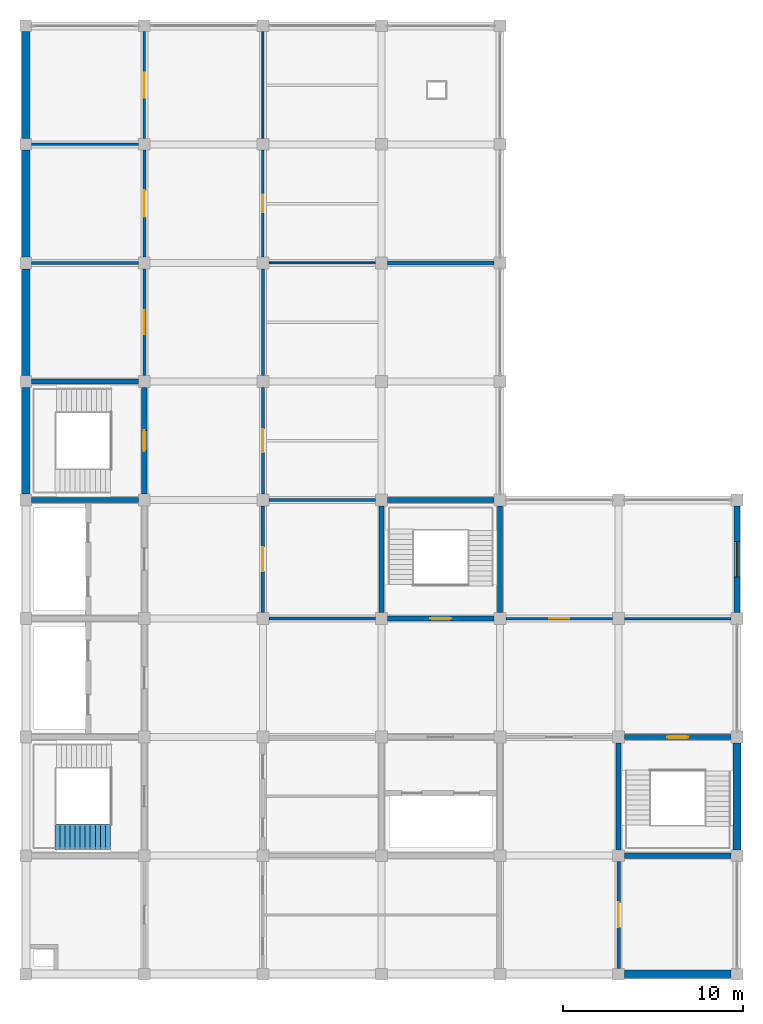
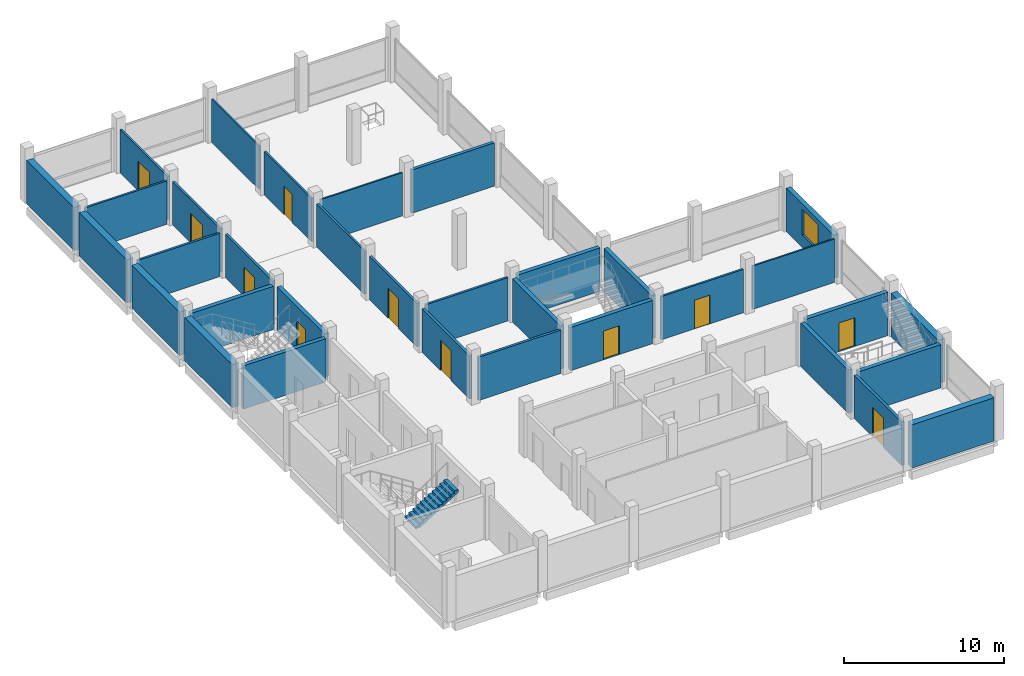
# One storey, part 7 of 9: 34 walls, 11 doors, 1 stair flight, 1 window, 12 openings, 1 element without a shape of its own.
"""IFC4 building model written with IfcOpenShell, lengths in metres."""

from ifc_helpers import new_model, si_unit, direction, frame, frame_2d, origin, place, context, subcontext, project, spatial, polyline, rectangle, outline, extrude, material, layer, layer_set, type_object, element, fill, aggregate, save


model = new_model("IFC4")

# Units and contexts
model_context = context("Model", 3, precision=1e-05, world=origin(), true_north=direction((0.0, 1.0)))
body_context = subcontext(model_context, "Body", "Model", "MODEL_VIEW")
ifc_project = project(units=[si_unit("LENGTHUNIT", "METRE"), si_unit("AREAUNIT", "SQUARE_METRE"), si_unit("VOLUMEUNIT", "CUBIC_METRE"), si_unit("PLANEANGLEUNIT", "RADIAN"), si_unit("MASSUNIT", "GRAM", prefix="KILO")], contexts=[model_context])

# Site, building, storey
site_placement = place(None, origin())
site = spatial("IfcSite", under=ifc_project, at=site_placement, CompositionType="ELEMENT")
building_placement = place(site_placement, origin())
building = spatial("IfcBuilding", under=site, at=building_placement, Name="Rusizi Kubbe Research Institute", CompositionType="ELEMENT")
storey_placement = place(building_placement, frame((0.0, 0.0, 60.60009765625)))
storey = spatial("IfcBuildingStorey", under=building, at=storey_placement, Name="L14", CompositionType="ELEMENT", Elevation=60.60009765625)

# Walls
ifc_material_1 = material(Name="Concrete C40/50", Category="concrete")
ifc_layer_1 = layer(ifc_material_1, 0.294921875)
ifc_layer_set_1 = layer_set([ifc_layer_1], Name="Concrete C40/50")
wall_type_1 = type_object("IfcWallType", Name="CRW-03", PredefinedType="SHEAR", material=ifc_layer_set_1)
for number, where, z_axis, x_axis, name in (
    (1, (0.324951171875, 26.39990234375, 0.0), (0.0, 0.0, 1.0), (1.0, 0.0, 0.0), "Stair Core Shear Wall ST2 L14 S"),
    (2, (0.324951171875, 33.0, 0.0), (0.0, 0.0, 1.0), (1.0, 0.0, 0.0), "Stair Core Shear Wall ST2 L14 N"),
):
    element("IfcWall", number, at=place(storey_placement, frame(where, z_axis=z_axis, x_axis=x_axis)), inside=storey, type_object=wall_type_1, Name=name, PredefinedType="SHEAR", context=body_context, shape_type="SweptSolid", body=[
        extrude(rectangle(XDim=5.949951171875, YDim=0.294921875, at=frame_2d((2.97509765625, 0.0))), origin(), (0.0, 0.0, 1.0), 3.309814453125),
    ])

# Wall, opening, door
wall_1_placement = place(storey_placement, frame((6.60009765625, 26.72509765625, 0.0), z_axis=(0.0, 0.0, 1.0), x_axis=(0.0, 1.0, 0.0)))
wall_1 = element("IfcWall", 3, at=wall_1_placement, inside=storey, type_object=wall_type_1, Name="Stair Core Shear Wall ST2 L14 E", PredefinedType="SHEAR", context=body_context, shape_type="SweptSolid", body=[
    extrude(rectangle(XDim=5.949951171875, YDim=0.294921875, at=frame_2d((2.97509765625, 0.0))), origin(), (0.0, 0.0, 1.0), 3.309814453125),
])
opening_1_placement = place(wall_1_placement, frame((2.39990234375, 0.0, 0.0)))
opening_1 = element("IfcOpeningElement", 4, at=opening_1_placement, cuts=wall_1, Name="Opening D-02", PredefinedType="OPENING", context=body_context, shape_type="SweptSolid", body=[
    extrude(rectangle(XDim=1.14990234375, YDim=2.199951171875, at=frame_2d((0.574951171875, 1.10009765625))), frame((0.0, 0.157470703125, 0.0), z_axis=(0.0, -1.0, 0.0), x_axis=(1.0, 0.0, 0.0)), (0.0, 0.0, 1.0), 0.31494140625),
])
ifc_material_2 = material(Name="Fire-Rated Steel Frame and Acoustic Timber Leaf", Category="wood")
door_type_1 = type_object("IfcDoorType", Name="ID-STAIR-115", OperationType="NOTDEFINED", PredefinedType="DOOR", material=ifc_material_2)
door_1_placement = place(opening_1_placement, origin())
door_1 = element("IfcDoor", 5, at=door_1_placement, inside=storey, type_object=door_type_1, Name="Exit Stair Door ST2 L14", OperationType="SINGLE_SWING_RIGHT", OverallHeight=2.199951171875, OverallWidth=1.14990234375, PredefinedType="DOOR", context=body_context, shape_type="SweptSolid", body=[
    extrude(rectangle(XDim=1.14990234375, YDim=2.199951171875, at=frame_2d((0.574951171875, 1.10009765625))), frame((0.0, 0.02490234375, 0.0), z_axis=(0.0, -1.0, 0.0), x_axis=(1.0, 0.0, 0.0)), (0.0, 0.0, 1.0), 0.050048828125),
])
fill(opening_1, door_1)

wall_2_placement = place(storey_placement, frame((20.125, 19.800048828125, 0.0), z_axis=(0.0, 0.0, 1.0), x_axis=(1.0, 0.0, 0.0)))
wall_2 = element("IfcWall", 6, at=wall_2_placement, inside=storey, type_object=wall_type_1, Name="Stair Core Shear Wall ST3 L14 S", PredefinedType="SHEAR", context=body_context, shape_type="SweptSolid", body=[
    extrude(rectangle(XDim=5.949951171875, YDim=0.294921875, at=frame_2d((2.97509765625, 0.0))), origin(), (0.0, 0.0, 1.0), 3.309814453125),
])
opening_2_placement = place(wall_2_placement, frame((2.39990234375, 0.0, 0.0)))
opening_2 = element("IfcOpeningElement", 7, at=opening_2_placement, cuts=wall_2, Name="Opening D-02", PredefinedType="OPENING", context=body_context, shape_type="SweptSolid", body=[
    extrude(rectangle(XDim=1.14990234375, YDim=2.199951171875, at=frame_2d((0.574951171875, 1.10009765625))), frame((0.0, 0.157470703125, 0.0), z_axis=(0.0, -1.0, 0.0), x_axis=(1.0, 0.0, 0.0)), (0.0, 0.0, 1.0), 0.31494140625),
])
door_2_placement = place(opening_2_placement, origin())
door_2 = element("IfcDoor", 8, at=door_2_placement, inside=storey, type_object=door_type_1, Name="Exit Stair Door ST3 L14", OperationType="SINGLE_SWING_RIGHT", OverallHeight=2.199951171875, OverallWidth=1.14990234375, PredefinedType="DOOR", context=body_context, shape_type="SweptSolid", body=[
    extrude(rectangle(XDim=1.14990234375, YDim=2.199951171875, at=frame_2d((0.574951171875, 1.10009765625))), frame((0.0, 0.02490234375, 0.0), z_axis=(0.0, -1.0, 0.0), x_axis=(1.0, 0.0, 0.0)), (0.0, 0.0, 1.0), 0.050048828125),
])
fill(opening_2, door_2)

# Walls
for number, where, z_axis, x_axis, name in (
    (9, (20.125, 26.39990234375, 0.0), (0.0, 0.0, 1.0), (1.0, 0.0, 0.0), "Stair Core Shear Wall ST3 L14 N"),
    (10, (19.800048828125, 20.125, 0.0), (0.0, 0.0, 1.0), (0.0, 1.0, 0.0), "Stair Core Shear Wall ST3 L14 W"),
    (11, (26.39990234375, 20.125, 0.0), (0.0, 0.0, 1.0), (0.0, 1.0, 0.0), "Stair Core Shear Wall ST3 L14 E"),
    (12, (33.324951171875, 6.60009765625, 0.0), (0.0, 0.0, 1.0), (1.0, 0.0, 0.0), "Stair Core Shear Wall ST4 L14 S"),
):
    element("IfcWall", number, at=place(storey_placement, frame(where, z_axis=z_axis, x_axis=x_axis)), inside=storey, type_object=wall_type_1, Name=name, PredefinedType="SHEAR", context=body_context, shape_type="SweptSolid", body=[
        extrude(rectangle(XDim=5.949951171875, YDim=0.294921875, at=frame_2d((2.97509765625, 0.0))), origin(), (0.0, 0.0, 1.0), 3.309814453125),
    ])

# Wall, opening, door
wall_3_placement = place(storey_placement, frame((33.324951171875, 13.199951171875, 0.0), z_axis=(0.0, 0.0, 1.0), x_axis=(1.0, 0.0, 0.0)))
wall_3 = element("IfcWall", 13, at=wall_3_placement, inside=storey, type_object=wall_type_1, Name="Stair Core Shear Wall ST4 L14 N", PredefinedType="SHEAR", context=body_context, shape_type="SweptSolid", body=[
    extrude(rectangle(XDim=5.949951171875, YDim=0.294921875, at=frame_2d((2.97509765625, 0.0))), origin(), (0.0, 0.0, 1.0), 3.309814453125),
])
opening_3_placement = place(wall_3_placement, frame((2.39990234375, 0.0, 0.0)))
opening_3 = element("IfcOpeningElement", 14, at=opening_3_placement, cuts=wall_3, Name="Opening D-02", PredefinedType="OPENING", context=body_context, shape_type="SweptSolid", body=[
    extrude(rectangle(XDim=1.14990234375, YDim=2.199951171875, at=frame_2d((0.574951171875, 1.10009765625))), frame((0.0, 0.157470703125, 0.0), z_axis=(0.0, -1.0, 0.0), x_axis=(1.0, 0.0, 0.0)), (0.0, 0.0, 1.0), 0.31494140625),
])
door_3_placement = place(opening_3_placement, origin())
door_3 = element("IfcDoor", 15, at=door_3_placement, inside=storey, type_object=door_type_1, Name="Exit Stair Door ST4 L14", OperationType="SINGLE_SWING_RIGHT", OverallHeight=2.199951171875, OverallWidth=1.14990234375, PredefinedType="DOOR", context=body_context, shape_type="SweptSolid", body=[
    extrude(rectangle(XDim=1.14990234375, YDim=2.199951171875, at=frame_2d((0.574951171875, 1.10009765625))), frame((0.0, 0.02490234375, 0.0), z_axis=(0.0, -1.0, 0.0), x_axis=(1.0, 0.0, 0.0)), (0.0, 0.0, 1.0), 0.050048828125),
])
fill(opening_3, door_3)

# Wall
wall_4_placement = place(storey_placement, frame((33.0, 6.925048828125, 0.0), z_axis=(0.0, 0.0, 1.0), x_axis=(0.0, 1.0, 0.0)))
element("IfcWall", 16, at=wall_4_placement, inside=storey, type_object=wall_type_1, Name="Stair Core Shear Wall ST4 L14 W", PredefinedType="SHEAR", context=body_context, shape_type="SweptSolid", body=[
    extrude(rectangle(XDim=5.949951171875, YDim=0.294921875, at=frame_2d((2.97509765625, 0.0))), origin(), (0.0, 0.0, 1.0), 3.309814453125),
])

# Wall, opening, window
ifc_material_3 = material(Name="Volcanic Basalt Ashlar Masonry", Category="masonry")
ifc_layer_2 = layer(ifc_material_3, 0.340087890625)
ifc_layer_set_2 = layer_set([ifc_layer_2], Name="Volcanic Basalt Ashlar Masonry")
wall_type_2 = type_object("IfcWallType", Name="EW-07", PredefinedType="SOLIDWALL", material=ifc_layer_set_2)
wall_5_placement = place(storey_placement, frame((39.60009765625, 20.125, 0.0), z_axis=(0.0, 0.0, 1.0), x_axis=(0.0, 1.0, 0.0)))
wall_5 = element("IfcWall", 17, at=wall_5_placement, inside=storey, type_object=wall_type_2, Name="Ablaq Stone Exterior Wall L14 V6-3", PredefinedType="SOLIDWALL", context=body_context, shape_type="SweptSolid", body=[
    extrude(rectangle(XDim=5.949951171875, YDim=0.340087890625, at=frame_2d((2.97509765625, 0.0))), origin(), (0.0, 0.0, 1.0), 3.309814453125),
])
opening_4_placement = place(wall_5_placement, frame((1.9951171875, 0.0, 0.949951171875)))
opening_4 = element("IfcOpeningElement", 18, at=opening_4_placement, cuts=wall_5, Name="Opening WN-28", PredefinedType="OPENING", context=body_context, shape_type="SweptSolid", body=[
    extrude(rectangle(XDim=1.9599609375, YDim=1.9599609375, at=frame_2d((0.97998046875, 0.97998046875))), frame((0.0, 0.179931640625, 0.0), z_axis=(0.0, -1.0, 0.0), x_axis=(1.0, 0.0, 0.0)), (0.0, 0.0, 1.0), 0.360107421875),
])
ifc_material_4 = material(Name="Aluminium Frame and Solar-Control Double Glazing", Category="glass")
window_type = type_object("IfcWindowType", Name="WN-28", PartitioningType="DOUBLE_PANEL_VERTICAL", PredefinedType="WINDOW", material=ifc_material_4)
window_placement = place(opening_4_placement, origin())
window = element("IfcWindow", 19, at=window_placement, inside=storey, type_object=window_type, Name="Casement Window WN-28 L14", OverallHeight=1.9599609375, OverallWidth=1.9599609375, PartitioningType="DOUBLE_PANEL_VERTICAL", PredefinedType="WINDOW", context=body_context, shape_type="SweptSolid", body=[
    extrude(rectangle(XDim=1.9599609375, YDim=1.9599609375, at=frame_2d((0.97998046875, 0.97998046875))), frame((0.0, 0.030029296875, 0.0), z_axis=(0.0, -1.0, 0.0), x_axis=(1.0, 0.0, 0.0)), (0.0, 0.0, 1.0), 0.06005859375),
])
fill(opening_4, window)

# Wall
ifc_material_5 = material(Name="Concrete Blockwork Fire Partition", Category="masonry")
ifc_layer_3 = layer(ifc_material_5, 0.22509765625)
ifc_layer_set_3 = layer_set([ifc_layer_3], Name="Concrete Blockwork Fire Partition")
wall_type_3 = type_object("IfcWallType", Name="IW-01", PredefinedType="PARTITIONING", material=ifc_layer_set_3)
wall_6_placement = place(storey_placement, frame((20.125, 39.60009765625, 0.0), z_axis=(0.0, 0.0, 1.0), x_axis=(1.0, 0.0, 0.0)))
element("IfcWall", 20, at=wall_6_placement, inside=storey, type_object=wall_type_3, Name="Interior Partition Wall L14 H3-6", PredefinedType="PARTITIONING", context=body_context, shape_type="SweptSolid", body=[
    extrude(rectangle(XDim=5.949951171875, YDim=0.22509765625, at=frame_2d((2.97509765625, 0.0))), origin(), (0.0, 0.0, 1.0), 3.309814453125),
])

# Wall, opening, door
ifc_material_6 = material(Name="Insulated Cleanroom Partition", Category="masonry")
ifc_layer_4 = layer(ifc_material_6, 0.195068359375)
ifc_layer_set_4 = layer_set([ifc_layer_4], Name="Insulated Cleanroom Partition")
wall_type_4 = type_object("IfcWallType", Name="IW-02", PredefinedType="PARTITIONING", material=ifc_layer_set_4)
wall_7_placement = place(storey_placement, frame((13.199951171875, 20.125, 0.0), z_axis=(0.0, 0.0, 1.0), x_axis=(0.0, 1.0, 0.0)))
wall_7 = element("IfcWall", 21, at=wall_7_placement, inside=storey, type_object=wall_type_4, Name="Interior Partition Wall L14 V2-3", PredefinedType="PARTITIONING", context=body_context, shape_type="SweptSolid", body=[
    extrude(rectangle(XDim=5.949951171875, YDim=0.195068359375, at=frame_2d((2.97509765625, 0.0))), origin(), (0.0, 0.0, 1.0), 3.309814453125),
])
opening_5_placement = place(wall_7_placement, frame((2.300048828125, 0.0, 0.0)))
opening_5 = element("IfcOpeningElement", 22, at=opening_5_placement, cuts=wall_7, Name="Opening D-13", PredefinedType="OPENING", context=body_context, shape_type="SweptSolid", body=[
    extrude(rectangle(XDim=1.35009765625, YDim=2.300048828125, at=frame_2d((0.675048828125, 1.14990234375))), frame((0.0, 0.107421875, 0.0), z_axis=(0.0, -1.0, 0.0), x_axis=(1.0, 0.0, 0.0)), (0.0, 0.0, 1.0), 0.215087890625),
])
ifc_material_7 = material(Name="Fire-Rated Steel Frame and Acoustic Timber Leaf", Category="wood")
door_type_2 = type_object("IfcDoorType", Name="ID-LAB-135", OperationType="NOTDEFINED", PredefinedType="DOOR", material=ifc_material_7)
door_4_placement = place(opening_5_placement, origin())
door_4 = element("IfcDoor", 23, at=door_4_placement, inside=storey, type_object=door_type_2, Name="Door to Bioscience Wet Laboratory (L14-NW-01)", OperationType="SINGLE_SWING_LEFT", OverallHeight=2.300048828125, OverallWidth=1.35009765625, PredefinedType="DOOR", context=body_context, shape_type="SweptSolid", body=[
    extrude(rectangle(XDim=1.35009765625, YDim=2.300048828125, at=frame_2d((0.675048828125, 1.14990234375))), frame((0.0, 0.02490234375, 0.0), z_axis=(0.0, -1.0, 0.0), x_axis=(1.0, 0.0, 0.0)), (0.0, 0.0, 1.0), 0.050048828125),
])
fill(opening_5, door_4)

wall_8_placement = place(storey_placement, frame((33.0, 0.324951171875, 0.0), z_axis=(0.0, 0.0, 1.0), x_axis=(0.0, 1.0, 0.0)))
wall_8 = element("IfcWall", 24, at=wall_8_placement, inside=storey, type_object=wall_type_4, Name="Interior Partition Wall L14 V5-0", PredefinedType="PARTITIONING", context=body_context, shape_type="SweptSolid", body=[
    extrude(rectangle(XDim=5.949951171875, YDim=0.195068359375, at=frame_2d((2.97509765625, 0.0))), origin(), (0.0, 0.0, 1.0), 3.309814453125),
])
opening_6_placement = place(wall_8_placement, frame((2.27490234375, 0.0, 0.0)))
opening_6 = element("IfcOpeningElement", 25, at=opening_6_placement, cuts=wall_8, Name="Opening D-12", PredefinedType="OPENING", context=body_context, shape_type="SweptSolid", body=[
    extrude(rectangle(XDim=1.39990234375, YDim=2.25, at=frame_2d((0.699951171875, 1.125))), frame((0.0, 0.107421875, 0.0), z_axis=(0.0, -1.0, 0.0), x_axis=(1.0, 0.0, 0.0)), (0.0, 0.0, 1.0), 0.215087890625),
])
ifc_material_8 = material(Name="Fire-Rated Steel Frame and Acoustic Timber Leaf", Category="wood")
door_type_3 = type_object("IfcDoorType", Name="ID-LAB-140", OperationType="NOTDEFINED", PredefinedType="DOOR", material=ifc_material_8)
door_5_placement = place(opening_6_placement, origin())
door_5 = element("IfcDoor", 26, at=door_5_placement, inside=storey, type_object=door_type_3, Name="Door to Laboratory Instrument Support Room (L14-EWU-05)", OperationType="SINGLE_SWING_RIGHT", OverallHeight=2.25, OverallWidth=1.39990234375, PredefinedType="DOOR", context=body_context, shape_type="SweptSolid", body=[
    extrude(rectangle(XDim=1.39990234375, YDim=2.25, at=frame_2d((0.699951171875, 1.125))), frame((0.0, 0.02490234375, 0.0), z_axis=(0.0, -1.0, 0.0), x_axis=(1.0, 0.0, 0.0)), (0.0, 0.0, 1.0), 0.050048828125),
])
fill(opening_6, door_5)

ifc_material_9 = material(Name="Acoustic Laboratory Partition", Category="masonry")
ifc_layer_5 = layer(ifc_material_9, 0.175048828125)
ifc_layer_set_5 = layer_set([ifc_layer_5], Name="Acoustic Laboratory Partition")
wall_type_5 = type_object("IfcWallType", Name="IW-03", PredefinedType="PARTITIONING", material=ifc_layer_set_5)
wall_9_placement = place(storey_placement, frame((6.60009765625, 33.324951171875, 0.0), z_axis=(0.0, 0.0, 1.0), x_axis=(0.0, 1.0, 0.0)))
wall_9 = element("IfcWall", 27, at=wall_9_placement, inside=storey, type_object=wall_type_5, Name="Interior Partition Wall L14 V1-5", PredefinedType="PARTITIONING", context=body_context, shape_type="SweptSolid", body=[
    extrude(rectangle(XDim=5.949951171875, YDim=0.175048828125, at=frame_2d((2.97509765625, 0.0))), origin(), (0.0, 0.0, 1.0), 3.309814453125),
])
opening_7_placement = place(wall_9_placement, frame((2.31494140625, 0.0, 0.0)))
opening_7 = element("IfcOpeningElement", 28, at=opening_7_placement, cuts=wall_9, Name="Opening LD-07", PredefinedType="OPENING", context=body_context, shape_type="SweptSolid", body=[
    extrude(rectangle(XDim=1.320068359375, YDim=2.199951171875, at=frame_2d((0.66015625, 1.10009765625))), frame((0.0, 0.097412109375, 0.0), z_axis=(0.0, -1.0, 0.0), x_axis=(1.0, 0.0, 0.0)), (0.0, 0.0, 1.0), 0.195068359375),
])
ifc_material_10 = material(Name="Brushed Stainless Steel Sliding Door", Category="steel")
door_type_4 = type_object("IfcDoorType", Name="LD-07", OperationType="DOUBLE_DOOR_SLIDING", PredefinedType="USERDEFINED", material=ifc_material_10)
door_6_placement = place(opening_7_placement, origin())
door_6 = element("IfcDoor", 29, at=door_6_placement, inside=storey, type_object=door_type_4, Name="Door to Clean Room Gowning Airlock (L14-ALK-05)", ObjectType="SLIDING DOOR", OperationType="DOUBLE_DOOR_SLIDING", OverallHeight=2.199951171875, OverallWidth=1.320068359375, PredefinedType="USERDEFINED", context=body_context, shape_type="SweptSolid", body=[
    extrude(rectangle(XDim=1.320068359375, YDim=2.199951171875, at=frame_2d((0.66015625, 1.10009765625))), frame((0.0, 0.02490234375, 0.0), z_axis=(0.0, -1.0, 0.0), x_axis=(1.0, 0.0, 0.0)), (0.0, 0.0, 1.0), 0.050048828125),
])
fill(opening_7, door_6)

wall_10_placement = place(storey_placement, frame((13.199951171875, 26.72509765625, 0.0), z_axis=(0.0, 0.0, 1.0), x_axis=(0.0, 1.0, 0.0)))
wall_10 = element("IfcWall", 30, at=wall_10_placement, inside=storey, type_object=wall_type_5, Name="Interior Partition Wall L14 V2-4", PredefinedType="PARTITIONING", context=body_context, shape_type="SweptSolid", body=[
    extrude(rectangle(XDim=5.949951171875, YDim=0.175048828125, at=frame_2d((2.97509765625, 0.0))), origin(), (0.0, 0.0, 1.0), 3.309814453125),
])
opening_8_placement = place(wall_10_placement, frame((2.324951171875, 0.0, 0.0)))
opening_8 = element("IfcOpeningElement", 31, at=opening_8_placement, cuts=wall_10, Name="Opening D-14", PredefinedType="OPENING", context=body_context, shape_type="SweptSolid", body=[
    extrude(rectangle(XDim=1.300048828125, YDim=2.300048828125, at=frame_2d((0.64990234375, 1.14990234375))), frame((0.0, 0.097412109375, 0.0), z_axis=(0.0, -1.0, 0.0), x_axis=(1.0, 0.0, 0.0)), (0.0, 0.0, 1.0), 0.195068359375),
])
ifc_material_11 = material(Name="Fire-Rated Steel Frame and Acoustic Timber Leaf", Category="wood")
door_type_5 = type_object("IfcDoorType", Name="ID-LAB-130", OperationType="NOTDEFINED", PredefinedType="DOOR", material=ifc_material_11)
door_7_placement = place(opening_8_placement, origin())
door_7 = element("IfcDoor", 32, at=door_7_placement, inside=storey, type_object=door_type_5, Name="Door to Computational Dry Laboratory (L14-NW-02)", OperationType="SINGLE_SWING_RIGHT", OverallHeight=2.300048828125, OverallWidth=1.300048828125, PredefinedType="DOOR", context=body_context, shape_type="SweptSolid", body=[
    extrude(rectangle(XDim=1.300048828125, YDim=2.300048828125, at=frame_2d((0.64990234375, 1.14990234375))), frame((0.0, 0.02490234375, 0.0), z_axis=(0.0, -1.0, 0.0), x_axis=(1.0, 0.0, 0.0)), (0.0, 0.0, 1.0), 0.050048828125),
])
fill(opening_8, door_7)

# Walls
wall_11_placement = place(storey_placement, frame((13.52490234375, 19.800048828125, 0.0), z_axis=(0.0, 0.0, 1.0), x_axis=(1.0, 0.0, 0.0)))
element("IfcWall", 33, at=wall_11_placement, inside=storey, type_object=wall_type_5, Name="Interior Partition Wall L14 H2-3", PredefinedType="PARTITIONING", context=body_context, shape_type="SweptSolid", body=[
    extrude(rectangle(XDim=5.9501953125, YDim=0.175048828125, at=frame_2d((2.97509765625, 0.0))), origin(), (0.0, 0.0, 1.0), 3.309814453125),
])
ifc_material_12 = material(Name="Fire-Rated Corridor Partition", Category="masonry")
ifc_layer_6 = layer(ifc_material_12, 0.155029296875)
ifc_layer_set_6 = layer_set([ifc_layer_6], Name="Fire-Rated Corridor Partition")
wall_type_6 = type_object("IfcWallType", Name="IW-04", PredefinedType="PARTITIONING", material=ifc_layer_set_6)
wall_12_placement = place(storey_placement, frame((0.324951171875, 39.60009765625, 0.0), z_axis=(0.0, 0.0, 1.0), x_axis=(1.0, 0.0, 0.0)))
element("IfcWall", 34, at=wall_12_placement, inside=storey, type_object=wall_type_6, Name="Interior Partition Wall L14 H0-6", PredefinedType="PARTITIONING", context=body_context, shape_type="SweptSolid", body=[
    extrude(rectangle(XDim=5.949951171875, YDim=0.155029296875, at=frame_2d((2.97509765625, 0.0))), origin(), (0.0, 0.0, 1.0), 3.309814453125),
])

# Wall, opening, door
wall_13_placement = place(storey_placement, frame((6.60009765625, 39.925048828125, 0.0), z_axis=(0.0, 0.0, 1.0), x_axis=(0.0, 1.0, 0.0)))
wall_13 = element("IfcWall", 35, at=wall_13_placement, inside=storey, type_object=wall_type_6, Name="Interior Partition Wall L14 V1-6", PredefinedType="PARTITIONING", context=body_context, shape_type="SweptSolid", body=[
    extrude(rectangle(XDim=5.949951171875, YDim=0.155029296875, at=frame_2d((2.97509765625, 0.0))), origin(), (0.0, 0.0, 1.0), 3.309814453125),
])
opening_9_placement = place(wall_13_placement, frame((2.235107421875, 0.0, 0.0)))
opening_9 = element("IfcOpeningElement", 36, at=opening_9_placement, cuts=wall_13, Name="Opening LD-08", PredefinedType="OPENING", context=body_context, shape_type="SweptSolid", body=[
    extrude(rectangle(XDim=1.47998046875, YDim=2.25, at=frame_2d((0.739990234375, 1.125))), frame((0.0, 0.08740234375, 0.0), z_axis=(0.0, -1.0, 0.0), x_axis=(1.0, 0.0, 0.0)), (0.0, 0.0, 1.0), 0.175048828125),
])
ifc_material_13 = material(Name="Brushed Stainless Steel Sliding Door", Category="steel")
door_type_6 = type_object("IfcDoorType", Name="LD-08", OperationType="DOUBLE_DOOR_SLIDING", PredefinedType="USERDEFINED", material=ifc_material_13)
door_8_placement = place(opening_9_placement, origin())
door_8 = element("IfcDoor", 37, at=door_8_placement, inside=storey, type_object=door_type_6, Name="Door to ISO-6 Clean Room Suite (L14-CR-06)", ObjectType="SLIDING DOOR", OperationType="DOUBLE_DOOR_SLIDING", OverallHeight=2.25, OverallWidth=1.47998046875, PredefinedType="USERDEFINED", context=body_context, shape_type="SweptSolid", body=[
    extrude(rectangle(XDim=1.47998046875, YDim=2.25, at=frame_2d((0.739990234375, 1.125))), frame((0.0, 0.02490234375, 0.0), z_axis=(0.0, -1.0, 0.0), x_axis=(1.0, 0.0, 0.0)), (0.0, 0.0, 1.0), 0.050048828125),
])
fill(opening_9, door_8)

# Walls
wall_14_placement = place(storey_placement, frame((13.199951171875, 33.324951171875, 0.0), z_axis=(0.0, 0.0, 1.0), x_axis=(0.0, 1.0, 0.0)))
element("IfcWall", 38, at=wall_14_placement, inside=storey, type_object=wall_type_6, Name="Interior Partition Wall L14 V2-5", PredefinedType="PARTITIONING", context=body_context, shape_type="SweptSolid", body=[
    extrude(rectangle(XDim=5.949951171875, YDim=0.155029296875, at=frame_2d((2.97509765625, 0.0))), origin(), (0.0, 0.0, 1.0), 3.309814453125),
])
wall_15_placement = place(storey_placement, frame((13.52490234375, 26.39990234375, 0.0), z_axis=(0.0, 0.0, 1.0), x_axis=(1.0, 0.0, 0.0)))
element("IfcWall", 39, at=wall_15_placement, inside=storey, type_object=wall_type_6, Name="Interior Partition Wall L14 H2-4", PredefinedType="PARTITIONING", context=body_context, shape_type="SweptSolid", body=[
    extrude(rectangle(XDim=5.9501953125, YDim=0.155029296875, at=frame_2d((2.97509765625, 0.0))), origin(), (0.0, 0.0, 1.0), 3.309814453125),
])
ifc_material_14 = material(Name="Write-up Glazed Acoustic Partition", Category="masonry")
ifc_layer_7 = layer(ifc_material_14, 0.139892578125)
ifc_layer_set_7 = layer_set([ifc_layer_7], Name="Write-up Glazed Acoustic Partition")
wall_type_7 = type_object("IfcWallType", Name="IW-05", PredefinedType="PARTITIONING", material=ifc_layer_set_7)
wall_16_placement = place(storey_placement, frame((0.324951171875, 46.199951171875, 0.0), z_axis=(0.0, 0.0, 1.0), x_axis=(1.0, 0.0, 0.0)))
element("IfcWall", 40, at=wall_16_placement, inside=storey, type_object=wall_type_7, Name="Interior Partition Wall L14 H0-7", PredefinedType="PARTITIONING", context=body_context, shape_type="SweptSolid", body=[
    extrude(rectangle(XDim=5.949951171875, YDim=0.139892578125, at=frame_2d((2.97509765625, 0.0))), origin(), (0.0, 0.0, 1.0), 3.309814453125),
])

# Wall, opening, door
wall_17_placement = place(storey_placement, frame((6.60009765625, 46.52490234375, 0.0), z_axis=(0.0, 0.0, 1.0), x_axis=(0.0, 1.0, 0.0)))
wall_17 = element("IfcWall", 41, at=wall_17_placement, inside=storey, type_object=wall_type_7, Name="Interior Partition Wall L14 V1-7", PredefinedType="PARTITIONING", context=body_context, shape_type="SweptSolid", body=[
    extrude(rectangle(XDim=5.9501953125, YDim=0.139892578125, at=frame_2d((2.97509765625, 0.0))), origin(), (0.0, 0.0, 1.0), 3.309814453125),
])
opening_10_placement = place(wall_17_placement, frame((2.27490234375, 0.0, 0.0)))
opening_10 = element("IfcOpeningElement", 42, at=opening_10_placement, cuts=wall_17, Name="Opening D-12", PredefinedType="OPENING", context=body_context, shape_type="SweptSolid", body=[
    extrude(rectangle(XDim=1.39990234375, YDim=2.25, at=frame_2d((0.699951171875, 1.125))), frame((0.0, 0.079833984375, 0.0), z_axis=(0.0, -1.0, 0.0), x_axis=(1.0, 0.0, 0.0)), (0.0, 0.0, 1.0), 0.159912109375),
])
door_9_placement = place(opening_10_placement, origin())
door_9 = element("IfcDoor", 43, at=door_9_placement, inside=storey, type_object=door_type_3, Name="Door to Clean Room Metrology Laboratory (L14-WSP-07)", OperationType="SINGLE_SWING_RIGHT", OverallHeight=2.25, OverallWidth=1.39990234375, PredefinedType="DOOR", context=body_context, shape_type="SweptSolid", body=[
    extrude(rectangle(XDim=1.39990234375, YDim=2.25, at=frame_2d((0.699951171875, 1.125))), frame((0.0, 0.02490234375, 0.0), z_axis=(0.0, -1.0, 0.0), x_axis=(1.0, 0.0, 0.0)), (0.0, 0.0, 1.0), 0.050048828125),
])
fill(opening_10, door_9)

wall_18_placement = place(storey_placement, frame((13.199951171875, 39.925048828125, 0.0), z_axis=(0.0, 0.0, 1.0), x_axis=(0.0, 1.0, 0.0)))
wall_18 = element("IfcWall", 44, at=wall_18_placement, inside=storey, type_object=wall_type_7, Name="Interior Partition Wall L14 V2-6", PredefinedType="PARTITIONING", context=body_context, shape_type="SweptSolid", body=[
    extrude(rectangle(XDim=5.949951171875, YDim=0.139892578125, at=frame_2d((2.97509765625, 0.0))), origin(), (0.0, 0.0, 1.0), 3.309814453125),
])
opening_11_placement = place(wall_18_placement, frame((2.485107421875, 0.0, 0.0)))
opening_11 = element("IfcOpeningElement", 45, at=opening_11_placement, cuts=wall_18, Name="Opening D-20", PredefinedType="OPENING", context=body_context, shape_type="SweptSolid", body=[
    extrude(rectangle(XDim=0.97998046875, YDim=2.14990234375, at=frame_2d((0.489990234375, 1.074951171875))), frame((0.0, 0.079833984375, 0.0), z_axis=(0.0, -1.0, 0.0), x_axis=(1.0, 0.0, 0.0)), (0.0, 0.0, 1.0), 0.159912109375),
])
ifc_material_15 = material(Name="Fire-Rated Steel Frame and Acoustic Timber Leaf", Category="wood")
door_type_7 = type_object("IfcDoorType", Name="ID-OFF-980", OperationType="NOTDEFINED", PredefinedType="DOOR", material=ifc_material_15)
door_10_placement = place(opening_11_placement, origin())
door_10 = element("IfcDoor", 46, at=door_10_placement, inside=storey, type_object=door_type_7, Name="Door to Write-up Office (L14-NW-03)", OperationType="SINGLE_SWING_LEFT", OverallHeight=2.14990234375, OverallWidth=0.97998046875, PredefinedType="DOOR", context=body_context, shape_type="SweptSolid", body=[
    extrude(rectangle(XDim=0.97998046875, YDim=2.14990234375, at=frame_2d((0.489990234375, 1.074951171875))), frame((0.0, 0.02490234375, 0.0), z_axis=(0.0, -1.0, 0.0), x_axis=(1.0, 0.0, 0.0)), (0.0, 0.0, 1.0), 0.050048828125),
])
fill(opening_11, door_10)

wall_19_placement = place(storey_placement, frame((26.72509765625, 19.800048828125, 0.0), z_axis=(0.0, 0.0, 1.0), x_axis=(1.0, 0.0, 0.0)))
wall_19 = element("IfcWall", 47, at=wall_19_placement, inside=storey, type_object=wall_type_7, Name="Interior Partition Wall L14 H4-3", PredefinedType="PARTITIONING", context=body_context, shape_type="SweptSolid", body=[
    extrude(rectangle(XDim=5.949951171875, YDim=0.139892578125, at=frame_2d((2.97509765625, 0.0))), origin(), (0.0, 0.0, 1.0), 3.309814453125),
])
opening_12_placement = place(wall_19_placement, frame((2.4150390625, 0.0, 0.0)))
opening_12 = element("IfcOpeningElement", 48, at=opening_12_placement, cuts=wall_19, Name="Opening D-18", PredefinedType="OPENING", context=body_context, shape_type="SweptSolid", body=[
    extrude(rectangle(XDim=1.1201171875, YDim=2.199951171875, at=frame_2d((0.56005859375, 1.10009765625))), frame((0.0, 0.079833984375, 0.0), z_axis=(0.0, -1.0, 0.0), x_axis=(1.0, 0.0, 0.0)), (0.0, 0.0, 1.0), 0.159912109375),
])
ifc_material_16 = material(Name="Fire-Rated Steel Frame and Acoustic Timber Leaf", Category="wood")
door_type_8 = type_object("IfcDoorType", Name="ID-OFF-112", OperationType="NOTDEFINED", PredefinedType="DOOR", material=ifc_material_16)
door_11_placement = place(opening_12_placement, origin())
door_11 = element("IfcDoor", 49, at=door_11_placement, inside=storey, type_object=door_type_8, Name="Door to Write-up Office (L14-EWN-01)", OperationType="SINGLE_SWING_LEFT", OverallHeight=2.199951171875, OverallWidth=1.1201171875, PredefinedType="DOOR", context=body_context, shape_type="SweptSolid", body=[
    extrude(rectangle(XDim=1.1201171875, YDim=2.199951171875, at=frame_2d((0.56005859375, 1.10009765625))), frame((0.0, 0.02490234375, 0.0), z_axis=(0.0, -1.0, 0.0), x_axis=(1.0, 0.0, 0.0)), (0.0, 0.0, 1.0), 0.050048828125),
])
fill(opening_12, door_11)

# Walls
ifc_material_17 = material(Name="Sub-Suite Fire Partition", Category="masonry")
ifc_layer_8 = layer(ifc_material_17, 0.110107421875)
ifc_layer_set_8 = layer_set([ifc_layer_8], Name="Sub-Suite Fire Partition")
wall_type_8 = type_object("IfcWallType", Name="IW-07", PredefinedType="PARTITIONING", material=ifc_layer_set_8)
for number, where, z_axis, x_axis, name in (
    (50, (13.199951171875, 46.52490234375, 0.0), (0.0, 0.0, 1.0), (0.0, 1.0, 0.0), "Interior Partition Wall L14 V2-7"),
    (51, (13.52490234375, 39.60009765625, 0.0), (0.0, 0.0, 1.0), (1.0, 0.0, 0.0), "Interior Partition Wall L14 H2-6"),
):
    element("IfcWall", number, at=place(storey_placement, frame(where, z_axis=z_axis, x_axis=x_axis)), inside=storey, type_object=wall_type_8, Name=name, PredefinedType="PARTITIONING", context=body_context, shape_type="SweptSolid", body=[
        extrude(rectangle(XDim=5.9501953125, YDim=0.110107421875, at=frame_2d((2.97509765625, 0.0))), origin(), (0.0, 0.0, 1.0), 3.309814453125),
    ])
wall_20_placement = place(storey_placement, frame((33.324951171875, 19.800048828125, 0.0), z_axis=(0.0, 0.0, 1.0), x_axis=(1.0, 0.0, 0.0)))
element("IfcWall", 52, at=wall_20_placement, inside=storey, type_object=wall_type_8, Name="Interior Partition Wall L14 H5-3", PredefinedType="PARTITIONING", context=body_context, shape_type="SweptSolid", body=[
    extrude(rectangle(XDim=5.949951171875, YDim=0.110107421875, at=frame_2d((2.97509765625, 0.0))), origin(), (0.0, 0.0, 1.0), 3.309814453125),
])
ifc_material_18 = material(Name="Concrete C40/50", Category="concrete")
ifc_layer_9 = layer(ifc_material_18, 0.4599609375)
ifc_layer_set_9 = layer_set([ifc_layer_9], Name="Concrete C40/50")
wall_type_9 = type_object("IfcWallType", Name="PW-02", PredefinedType="SOLIDWALL", material=ifc_layer_set_9)
for number, where, z_axis, x_axis, name in (
    (53, (0.0, 26.72509765625, 0.0), (0.0, 0.0, 1.0), (0.0, 1.0, 0.0), "Blind Party Wall L14 V0-4"),
    (54, (0.0, 33.324951171875, 0.0), (0.0, 0.0, 1.0), (0.0, 1.0, 0.0), "Blind Party Wall L14 V0-5"),
    (55, (0.0, 39.925048828125, 0.0), (0.0, 0.0, 1.0), (0.0, 1.0, 0.0), "Blind Party Wall L14 V0-6"),
):
    element("IfcWall", number, at=place(storey_placement, frame(where, z_axis=z_axis, x_axis=x_axis)), inside=storey, type_object=wall_type_9, Name=name, PredefinedType="SOLIDWALL", context=body_context, shape_type="SweptSolid", body=[
        extrude(rectangle(XDim=5.949951171875, YDim=0.4599609375, at=frame_2d((2.97509765625, 0.0))), origin(), (0.0, 0.0, 1.0), 3.309814453125),
    ])
wall_21_placement = place(storey_placement, frame((0.0, 46.52490234375, 0.0), z_axis=(0.0, 0.0, 1.0), x_axis=(0.0, 1.0, 0.0)))
element("IfcWall", 56, at=wall_21_placement, inside=storey, type_object=wall_type_9, Name="Blind Party Wall L14 V0-7", PredefinedType="SOLIDWALL", context=body_context, shape_type="SweptSolid", body=[
    extrude(rectangle(XDim=5.9501953125, YDim=0.4599609375, at=frame_2d((2.97509765625, 0.0))), origin(), (0.0, 0.0, 1.0), 3.309814453125),
])
for number, where, z_axis, x_axis, name in (
    (57, (33.324951171875, 0.0, 0.0), (0.0, 0.0, 1.0), (1.0, 0.0, 0.0), "Blind Party Wall L14 H5-0"),
    (58, (39.60009765625, 6.925048828125, 0.0), (0.0, 0.0, 1.0), (0.0, 1.0, 0.0), "Core Shear Exterior Wall L14 V6-1"),
):
    element("IfcWall", number, at=place(storey_placement, frame(where, z_axis=z_axis, x_axis=x_axis)), inside=storey, type_object=wall_type_9, Name=name, PredefinedType="SOLIDWALL", context=body_context, shape_type="SweptSolid", body=[
        extrude(rectangle(XDim=5.949951171875, YDim=0.4599609375, at=frame_2d((2.97509765625, 0.0))), origin(), (0.0, 0.0, 1.0), 3.309814453125),
    ])

# Stair, stair flight
ifc_material_19 = material(Name="Concrete C40/50", Category="concrete")
stair_type = type_object("IfcStairType", Name="ST-H420A", PredefinedType="HALF_TURN_STAIR", material=ifc_material_19)
stair_placement = place(storey_placement, origin())
stair = element("IfcStair", 59, at=stair_placement, inside=storey, type_object=stair_type, Name="Protected Exit Stair ST1 (L14)", PredefinedType="HALF_TURN_STAIR")
ifc_material_20 = material(Name="Concrete C40/50", Category="concrete")
stair_flight_type = type_object("IfcStairFlightType", Name="FL-H420A", PredefinedType="STRAIGHT", material=ifc_material_20)
stair_flight_placement = place(storey_placement, frame((1.6259765625, 7.64990234375, 2.099853515625), z_axis=(0.0, 0.0, 1.0), x_axis=(1.0, 0.0, 0.0)))
stair_flight = element("IfcStairFlight", 60, at=stair_flight_placement, type_object=stair_flight_type, Name="ST1 flight 2", NumberOfRisers=12, NumberOfTreads=11, PredefinedType="STRAIGHT", RiserHeight=0.175, TreadLength=0.28, context=body_context, shape_type="SweptSolid", body=[
    extrude(outline(polyline([(0.0, 0.0), (0.0, 0.175048828125), (0.280029296875, 0.175048828125), (0.280029296875, 0.35009765625), (0.56005859375, 0.35009765625), (0.56005859375, 0.52490234375), (0.840087890625, 0.52490234375), (0.840087890625, 0.699951171875), (1.1201171875, 0.699951171875), (1.1201171875, 0.875), (1.39990234375, 0.875), (1.39990234375, 1.050048828125), (1.679931640625, 1.050048828125), (1.679931640625, 1.22509765625), (1.9599609375, 1.22509765625), (1.9599609375, 1.39990234375), (2.239990234375, 1.39990234375), (2.239990234375, 1.574951171875), (2.52001953125, 1.574951171875), (2.52001953125, 1.75), (2.800048828125, 1.75), (2.800048828125, 1.925048828125), (3.080078125, 1.925048828125), (3.080078125, 2.10009765625), (3.080078125, 1.736328125), (0.3017578125, 0.0), (0.0, 0.0)])), frame((0.0, 0.699951171875, 0.0), z_axis=(0.0, -1.0, 0.0), x_axis=(1.0, 0.0, 0.0)), (0.0, 0.0, 1.0), 1.39990234375),
])
aggregate(stair, [stair_flight])

save(model, "model.ifc")
